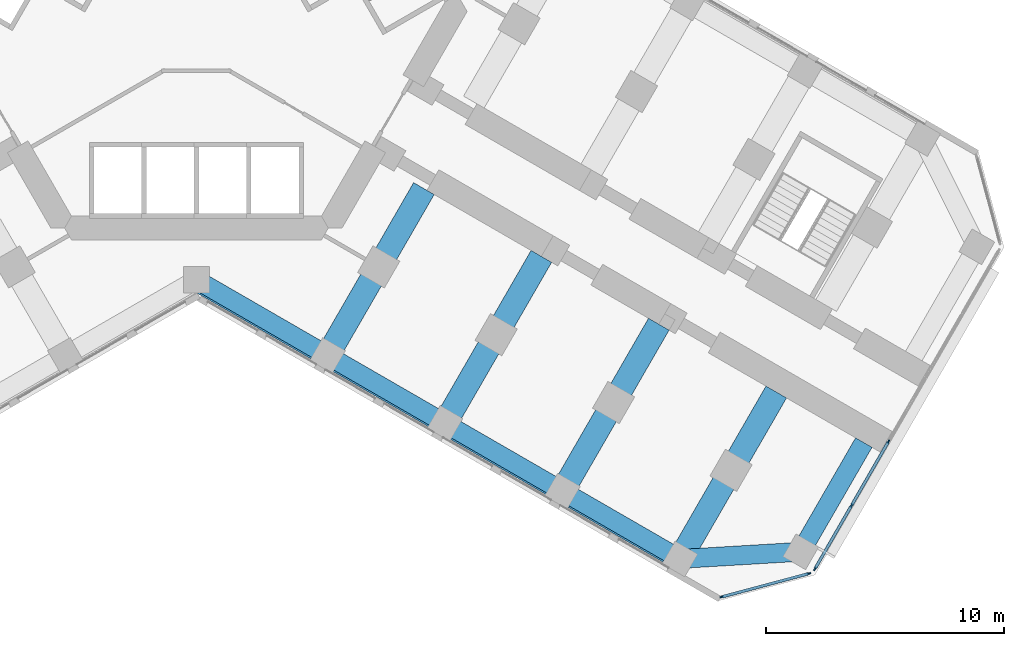
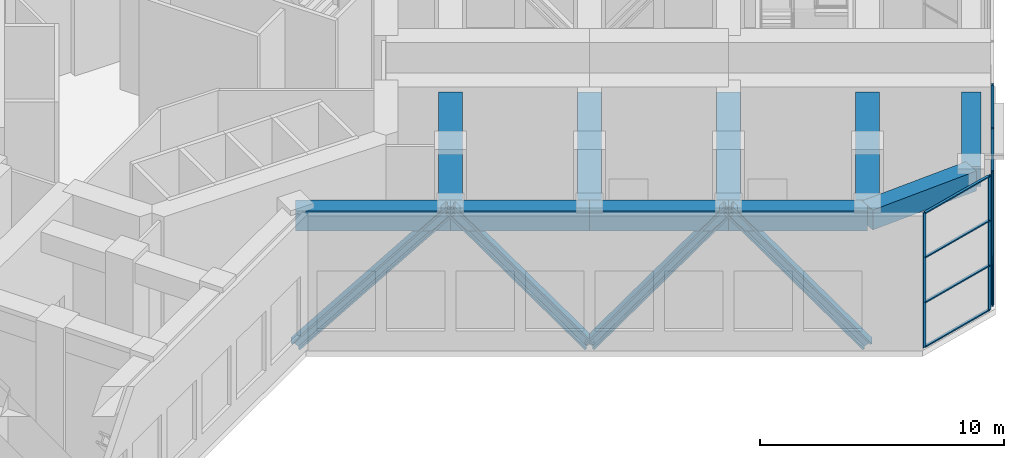
# One storey, part 5 of 17: 19 members, 10 beams, 2 elements without a shape of their own.
"""IFC4 building model written with IfcOpenShell, lengths in metres."""

import ifcopenshell
import ifcopenshell.guid

model = None  # the IFC model being written
_history = None  # IfcOwnerHistory: only IFC2X3 demands one
_inside = {}  # id of a spatial element -> (the spatial element, [elements in it])
_under = {}  # id of a project, library or spatial element -> (it, [spatial elements below it])
_declared = {}  # id of a project -> (the project, [libraries it declares])
_typed = {}  # id of a type object -> (the type object, [elements of that type])
_made_of = {}  # id of a material, layer set ... -> (it, [elements and type objects made of it])


def new_model(schema):
    """Start an empty IFC model of exactly this schema.

    Asked for "IFC4X3", IfcOpenShell would pick the latest addendum, in which some entities
    have other attributes; the version numbers below select the first issue.
    IFC2X3 requires an IfcOwnerHistory on every rooted entity: one is made here for all.
    """
    global model, _history
    if schema == "IFC4X3":
        model = ifcopenshell.file(schema_version=(4, 3, 0, 0))
    else:
        model = ifcopenshell.file(schema=schema)
    _inside.clear()
    _under.clear()
    _declared.clear()
    _typed.clear()
    _made_of.clear()
    _history = None
    if model.schema == "IFC2X3":
        org = make("IfcOrganization", Name="unknown")
        user = make(
            "IfcPersonAndOrganization",
            ThePerson=make("IfcPerson", FamilyName="unknown"),
            TheOrganization=org,
        )
        app = make(
            "IfcApplication",
            ApplicationDeveloper=org,
            Version="unknown",
            ApplicationFullName="unknown",
            ApplicationIdentifier="unknown",
        )
        _history = make(
            "IfcOwnerHistory",
            OwningUser=user,
            OwningApplication=app,
            ChangeAction="ADDED",
            CreationDate=0,
        )
    return model


def make(cls, **values):
    """One entity of the class cls with the attributes given. An attribute that is None is left unset."""
    return model.create_entity(
        cls, **{name: value for name, value in values.items() if value is not None}
    )


def rooted(cls, **values):
    """An entity with a GlobalId (a new one), such as an element, a storey or a relation."""
    return make(cls, GlobalId=ifcopenshell.guid.new(), OwnerHistory=_history, **values)


def si_unit(unit_type, name, prefix=None):
    """IfcSIUnit, for example si_unit("LENGTHUNIT", "METRE", prefix="MILLI")."""
    return make("IfcSIUnit", UnitType=unit_type, Prefix=prefix, Name=name)


def assignment(units):
    """IfcUnitAssignment: the units of a project."""
    return None if units is None else make("IfcUnitAssignment", Units=units)


def point(xyz):
    """IfcCartesianPoint."""
    return None if xyz is None else make("IfcCartesianPoint", Coordinates=xyz)


def direction(xyz):
    """IfcDirection."""
    return None if xyz is None else make("IfcDirection", DirectionRatios=xyz)


def frame(location, z_axis=None, x_axis=None):
    """IfcAxis2Placement3D, a coordinate frame: its origin and axes. An axis left out is left unset."""
    return make(
        "IfcAxis2Placement3D",
        Location=point(location),
        Axis=direction(z_axis),
        RefDirection=direction(x_axis),
    )


def frame_2d(location, x_axis=None):
    """IfcAxis2Placement2D, a coordinate frame in the plane: its origin and x axis."""
    return make(
        "IfcAxis2Placement2D", Location=point(location), RefDirection=direction(x_axis)
    )


def origin():
    """The frame at (0, 0, 0) with its axes left unset."""
    return frame((0.0, 0.0, 0.0))


def origin_2d():
    """The frame at (0, 0) in the plane with its x axis left unset."""
    return frame_2d((0.0, 0.0))


def place(relative_to, where):
    """IfcLocalPlacement: puts the frame where relative to a parent placement (None: the world)."""
    return make(
        "IfcLocalPlacement", PlacementRelTo=relative_to, RelativePlacement=where
    )


def context(
    kind, dimensions, precision=None, world=None, true_north=None, identifier=None
):
    """IfcGeometricRepresentationContext, for example the 3D "Model" context."""
    return make(
        "IfcGeometricRepresentationContext",
        ContextIdentifier=identifier,
        ContextType=kind,
        CoordinateSpaceDimension=dimensions,
        Precision=precision,
        WorldCoordinateSystem=world,
        TrueNorth=true_north,
    )


def subcontext(parent, identifier, kind, view, scale=None):
    """IfcGeometricRepresentationSubContext, for example "Body" below "Model"."""
    return make(
        "IfcGeometricRepresentationSubContext",
        ContextIdentifier=identifier,
        ContextType=kind,
        ParentContext=parent,
        TargetScale=scale,
        TargetView=view,
    )


def project(units=None, contexts=None):
    """IfcProject with its units and contexts."""
    return rooted(
        "IfcProject",
        Name="project",
        RepresentationContexts=contexts,
        UnitsInContext=assignment(units),
    )


def spatial(cls, under=None, at=None, **own):
    """A site, building, storey or space (cls), placed at a placement, below another one or the project."""
    s = rooted(cls, ObjectPlacement=at, **own)
    if under is not None:
        _under.setdefault(under.id(), (under, []))[1].append(s)
    return s


def profile(cls, at=None, kind="AREA", **sizes):
    """A parametric profile (cls). Its sizes go by their IFC names, for example OverallWidth=200.0."""
    return make(cls, ProfileType=kind, Position=at, **sizes)


def rectangle(**sizes):
    """IfcRectangleProfileDef."""
    return profile("IfcRectangleProfileDef", **sizes)


def i_section(**sizes):
    """IfcIShapeProfileDef."""
    return profile("IfcIShapeProfileDef", **sizes)


def extrude(swept, where, along, depth):
    """IfcExtrudedAreaSolid: the profile swept, set in the frame where, extruded along a direction by depth."""
    return make(
        "IfcExtrudedAreaSolid",
        SweptArea=swept,
        Position=where,
        ExtrudedDirection=direction(along),
        Depth=depth,
    )


def shape(context_of_items, identifier, shape_type, items):
    """IfcShapeRepresentation: the items that make up one representation, for example the "Body"."""
    return make(
        "IfcShapeRepresentation",
        ContextOfItems=context_of_items,
        RepresentationIdentifier=identifier,
        RepresentationType=shape_type,
        Items=items,
    )


def material(Name=None, Category=None):
    """IfcMaterial."""
    return make("IfcMaterial", Name=Name, Category=Category)


def material_profile(
    of_material, cross_section, Name=None, Category=None, Priority=None
):
    """IfcMaterialProfile: a cross section and its material."""
    return make(
        "IfcMaterialProfile",
        Name=Name,
        Material=of_material,
        Profile=cross_section,
        Priority=Priority,
        Category=Category,
    )


def profile_set(profiles, Name=None, composite=None):
    """IfcMaterialProfileSet."""
    return make(
        "IfcMaterialProfileSet",
        Name=Name,
        MaterialProfiles=profiles,
        CompositeProfile=composite,
    )


def made_of(thing, what):
    """Note that an element or type object is made of a material, layer set ...; save() writes the relation."""
    if what is not None:
        _made_of.setdefault(what.id(), (what, []))[1].append(thing)
    return thing


def type_object(cls, material=None, **own):
    """A type object (cls), such as IfcWallType, which elements share."""
    return made_of(rooted(cls, **own), material)


def element(
    cls,
    number,
    at=None,
    inside=None,
    cuts=None,
    type_object=None,
    material=None,
    context=None,
    identifier="Body",
    shape_type=None,
    held_by="IfcProductDefinitionShape",
    body=None,
    shapes=None,
    **own,
):
    """One element of the class cls, such as IfcWall. Its Tag is "e" and its number.

    at: its placement. inside: the storey or other place that contains it. cuts: it is an
    opening in that element (IfcRelVoidsElement). A single representation is given by context,
    identifier, shape_type and body (its items); several are given by shapes. held_by: the class
    of the entity that holds the representations. save() writes the other relations.
    """
    e = rooted(cls, Tag="e%d" % number, ObjectPlacement=at, **own)
    if body is not None:
        shapes = [shape(context, identifier, shape_type, body)]
    if shapes is not None:
        e.Representation = make(held_by, Representations=shapes)
    if inside is not None:
        _inside.setdefault(inside.id(), (inside, []))[1].append(e)
    if cuts is not None:
        rooted(
            "IfcRelVoidsElement", RelatingBuildingElement=cuts, RelatedOpeningElement=e
        )
    if type_object is not None:
        _typed.setdefault(type_object.id(), (type_object, []))[1].append(e)
    return made_of(e, material)


def aggregate(whole, parts):
    """IfcRelAggregates: a whole, such as a stair, and the parts it consists of."""
    return rooted("IfcRelAggregates", RelatingObject=whole, RelatedObjects=parts)


def save(model, path):
    """Write the relations noted so far, then the file.

    IfcRelAggregates (storeys below a building ...), IfcRelContainedInSpatialStructure (elements
    in a storey), IfcRelDefinesByType, IfcRelAssociatesMaterial and IfcRelDeclares: one each for
    every whole, place, type object, material and project.
    """
    for whole, parts in _under.values():
        aggregate(whole, parts)
    for where, things in _inside.values():
        rooted(
            "IfcRelContainedInSpatialStructure",
            RelatedElements=things,
            RelatingStructure=where,
        )
    for kind, things in _typed.values():
        rooted("IfcRelDefinesByType", RelatedObjects=things, RelatingType=kind)
    for what, things in _made_of.values():
        rooted("IfcRelAssociatesMaterial", RelatedObjects=things, RelatingMaterial=what)
    for by, libraries in _declared.values():
        rooted("IfcRelDeclares", RelatingContext=by, RelatedDefinitions=libraries)
    model.write(path)


model = new_model("IFC4")

# Units and contexts
model_context = context("Model", 3, precision=1e-05, world=origin(), true_north=direction((0.0, 1.0)))
body_context = subcontext(model_context, "Body", "Model", "MODEL_VIEW")
ifc_project = project(units=[si_unit("LENGTHUNIT", "METRE"), si_unit("AREAUNIT", "SQUARE_METRE"), si_unit("VOLUMEUNIT", "CUBIC_METRE"), si_unit("PLANEANGLEUNIT", "RADIAN"), si_unit("MASSUNIT", "GRAM", prefix="KILO")], contexts=[model_context])

# Site, building, storey
site_placement = place(None, origin())
site = spatial("IfcSite", under=ifc_project, at=site_placement, CompositionType="ELEMENT")
building_placement = place(site_placement, origin())
building = spatial("IfcBuilding", under=site, at=building_placement, Name="Kosmar Iwan School Tower", CompositionType="ELEMENT")
storey_placement = place(building_placement, frame((0.0, 0.0, 32.39990234375)))
storey = spatial("IfcBuildingStorey", under=building, at=storey_placement, Name="L07", CompositionType="ELEMENT", Elevation=32.39990234375)

# Members
ifc_material_1 = material(Name="Steel S355", Category="steel")
ifc_material_profile_1 = material_profile(ifc_material_1, i_section(OverallWidth=0.431884765625, OverallDepth=0.498046875, WebThickness=0.0556640625, FlangeThickness=0.0888671875, FilletRadius=0.014892578125, at=origin_2d()), Name="HD 400x744")
ifc_profile_set_1 = profile_set([ifc_material_profile_1], Name="Steel S355")
member_type_1 = type_object("IfcMemberType", Name="Belt truss diagonal HD 400x744", PredefinedType="BRACE", material=ifc_profile_set_1)
member_1_placement = place(storey_placement, frame((-0.126953125, -11.997802734375, 0.0), z_axis=(0.590909444273, -0.341179234178, 0.731042241485), x_axis=(0.500019243575, 0.866014293216, 0.0)))
element("IfcMember", 1, at=member_1_placement, inside=storey, type_object=member_type_1, Name="Belt truss diagonal CR1", PredefinedType="BRACE", context=body_context, shape_type="SweptSolid", body=[
    extrude(i_section(OverallWidth=0.431884765625, OverallDepth=0.498046875, WebThickness=0.0556640625, FlangeThickness=0.0888671875, FilletRadius=0.014892578125, at=origin_2d()), origin(), (0.0, 0.0, 1.0), 9.322509765625),
])
for number, where, z_axis, x_axis, name in (
    (2, (5.3818359375, -15.178466796875, 6.815185546875), (0.555602470658, -0.320765005193, -0.767082594016), (0.49998570155, 0.866033658841, 0.0), "Belt truss diagonal CR2"),
    (3, (10.318115234375, -18.0283203125, 0.0), (0.555597573225, -0.32078965675, 0.767075832463), (0.50001782563, 0.866015111908, 0.0), "Belt truss diagonal CR3"),
):
    element("IfcMember", number, at=place(storey_placement, frame(where, z_axis=z_axis, x_axis=x_axis)), inside=storey, type_object=member_type_1, Name=name, PredefinedType="BRACE", context=body_context, shape_type="SweptSolid", body=[
        extrude(i_section(OverallWidth=0.431884765625, OverallDepth=0.498046875, WebThickness=0.0556640625, FlangeThickness=0.0888671875, FilletRadius=0.014892578125, at=origin_2d()), origin(), (0.0, 0.0, 1.0), 8.884521484375),
    ])
member_2_placement = place(storey_placement, frame((15.25439453125, -20.87841796875, 6.815185546875), z_axis=(0.555616569323, -0.320784759163, -0.767064121298), x_axis=(0.499999279071, 0.866025820012, 0.0)))
element("IfcMember", 4, at=member_2_placement, inside=storey, type_object=member_type_1, Name="Belt truss diagonal CR4", PredefinedType="BRACE", context=body_context, shape_type="SweptSolid", body=[
    extrude(i_section(OverallWidth=0.431884765625, OverallDepth=0.498046875, WebThickness=0.0556640625, FlangeThickness=0.0888671875, FilletRadius=0.014892578125, at=origin_2d()), origin(), (0.0, 0.0, 1.0), 8.884765625),
])

# Beams
ifc_material_2 = material(Name="Concrete C50/60", Category="concrete")
ifc_material_profile_2 = material_profile(ifc_material_2, rectangle(XDim=0.800048828125, YDim=1.0, at=origin_2d()), Name="RC 800x1000 + HD 400x634")
ifc_profile_set_2 = profile_set([ifc_material_profile_2], Name="Concrete C50/60")
beam_type_1 = type_object("IfcBeamType", Name="Composite edge beam 800x1000 HD 400x634", PredefinedType="BEAM", material=ifc_profile_set_2)
beam_1_placement = place(storey_placement, frame((0.0, -11.77783203125, 6.25), z_axis=(0.866014293216, -0.500019243575, 0.0), x_axis=(0.500019243575, 0.866014293216, 0.0)))
element("IfcBeam", 5, at=beam_1_placement, inside=storey, type_object=beam_type_1, Name="Edge beam CR1", PredefinedType="BEAM", context=body_context, shape_type="SweptSolid", body=[
    extrude(rectangle(XDim=0.800048828125, YDim=1.0, at=origin_2d()), origin(), (0.0, 0.0, 1.0), 6.361083984375),
])
beam_2_placement = place(storey_placement, frame((5.5087890625, -14.95849609375, 6.25), z_axis=(0.866033658841, -0.49998570155, 0.0), x_axis=(0.49998570155, 0.866033658841, 0.0)))
element("IfcBeam", 6, at=beam_2_placement, inside=storey, type_object=beam_type_1, Name="Edge beam CR2", PredefinedType="BEAM", context=body_context, shape_type="SweptSolid", body=[
    extrude(rectangle(XDim=0.800048828125, YDim=1.0, at=origin_2d()), origin(), (0.0, 0.0, 1.0), 5.699951171875),
])
beam_3_placement = place(storey_placement, frame((10.445068359375, -17.808349609375, 6.25), z_axis=(0.866025820012, -0.499999279071, 0.0), x_axis=(0.499999279071, 0.866025820012, 0.0)))
element("IfcBeam", 7, at=beam_3_placement, inside=storey, type_object=beam_type_1, Name="Edge beam CR3", PredefinedType="BEAM", context=body_context, shape_type="SweptSolid", body=[
    extrude(rectangle(XDim=0.800048828125, YDim=1.0, at=origin_2d()), origin(), (0.0, 0.0, 1.0), 5.7001953125),
])
beam_4_placement = place(storey_placement, frame((15.381591796875, -20.658447265625, 6.25), z_axis=(0.866015111908, -0.50001782563, 0.0), x_axis=(0.50001782563, 0.866015111908, 0.0)))
element("IfcBeam", 8, at=beam_4_placement, inside=storey, type_object=beam_type_1, Name="Edge beam CR4", PredefinedType="BEAM", context=body_context, shape_type="SweptSolid", body=[
    extrude(rectangle(XDim=0.800048828125, YDim=1.0, at=origin_2d()), origin(), (0.0, 0.0, 1.0), 5.699951171875),
])
ifc_material_3 = material(Name="Concrete C50/60", Category="concrete")
ifc_material_profile_3 = material_profile(ifc_material_3, rectangle(XDim=1.0, YDim=1.0, at=origin_2d()), Name="RC 1000x1000 + HD 400x347")
ifc_profile_set_3 = profile_set([ifc_material_profile_3], Name="Concrete C50/60")
beam_type_2 = type_object("IfcBeamType", Name="Composite transverse beam 1000x1000 HD 400x347", PredefinedType="BEAM", material=ifc_profile_set_3)
beam_5_placement = place(storey_placement, frame((5.5087890625, -14.95849609375, 6.25), z_axis=(0.499999880539, 0.866025472755, 0.0), x_axis=(-0.866025472755, 0.499999880539, 0.0)))
element("IfcBeam", 9, at=beam_5_placement, inside=storey, type_object=beam_type_2, Name="Transverse beam CR1", PredefinedType="BEAM", context=body_context, shape_type="SweptSolid", body=[
    extrude(rectangle(XDim=1.0, YDim=1.0, at=origin_2d()), origin(), (0.0, 0.0, 1.0), 8.10009765625),
])
beam_6_placement = place(storey_placement, frame((10.445068359375, -17.808349609375, 6.25), z_axis=(0.500012932018, 0.866017937352, 0.0), x_axis=(-0.866017937352, 0.500012932018, 0.0)))
element("IfcBeam", 10, at=beam_6_placement, inside=storey, type_object=beam_type_2, Name="Transverse beam CR2", PredefinedType="BEAM", context=body_context, shape_type="SweptSolid", body=[
    extrude(rectangle(XDim=1.0, YDim=1.0, at=origin_2d()), origin(), (0.0, 0.0, 1.0), 8.099853515625),
])
for number, where, z_axis, x_axis, name in (
    (11, (15.381591796875, -20.658447265625, 6.25), (0.499977274689, 0.866038523851, 0.0), (-0.866038523851, 0.499977274689, 0.0), "Transverse beam CR3"),
    (12, (20.31787109375, -23.508544921875, 6.25), (0.499999880539, 0.866025472755, 0.0), (-0.866025472755, 0.499999880539, 0.0), "Transverse beam CR4"),
):
    element("IfcBeam", number, at=place(storey_placement, frame(where, z_axis=z_axis, x_axis=x_axis)), inside=storey, type_object=beam_type_2, Name=name, PredefinedType="BEAM", context=body_context, shape_type="SweptSolid", body=[
        extrude(rectangle(XDim=1.0, YDim=1.0, at=origin_2d()), origin(), (0.0, 0.0, 1.0), 8.10009765625),
    ])

# Curtain wall, members
ifc_material_4 = material(Name="Dark glass in black aluminium frame", Category="aluminium")
curtain_wall_type_1 = type_object("IfcCurtainWallType", Name="Chamfer curtain wall dark glass", PredefinedType="USERDEFINED", material=ifc_material_4)
curtain_wall_1_placement = place(storey_placement, origin())
curtain_wall_1 = element("IfcCurtainWall", 13, at=curtain_wall_1_placement, inside=storey, type_object=curtain_wall_type_1, Name="Curtain wall L07-F02", ObjectType="FACETED CURTAIN WALL", PredefinedType="USERDEFINED")
ifc_material_5 = material(Name="Black anodised aluminium", Category="aluminium")
ifc_material_profile_4 = material_profile(ifc_material_5, rectangle(XDim=0.06005859375, YDim=0.159912109375, at=origin_2d()), Name="MULLION 60x160")
ifc_profile_set_4 = profile_set([ifc_material_profile_4], Name="Black anodised aluminium")
member_type_2 = type_object("IfcMemberType", Name="Mullion 60x160", PredefinedType="MULLION", material=ifc_profile_set_4)
member_3_placement = place(storey_placement, frame((22.0830078125, -25.102294921875, 0.0), z_axis=(0.0, 0.0, 1.0), x_axis=(-0.258818861462, 0.965925875495, 0.0)))
member_3 = element("IfcMember", 14, at=member_3_placement, type_object=member_type_2, Name="CW2 mullion 1", PredefinedType="MULLION", context=body_context, shape_type="SweptSolid", body=[
    extrude(rectangle(XDim=0.06005859375, YDim=0.159912109375, at=origin_2d()), origin(), (0.0, 0.0, 1.0), 6.75),
])
member_4_placement = place(storey_placement, frame((25.733154296875, -24.124267578125, 0.0), z_axis=(0.0, 0.0, 1.0), x_axis=(-0.258818861462, 0.965925875495, 0.0)))
member_4 = element("IfcMember", 15, at=member_4_placement, type_object=member_type_2, Name="CW2 mullion 2", PredefinedType="MULLION", context=body_context, shape_type="SweptSolid", body=[
    extrude(rectangle(XDim=0.06005859375, YDim=0.159912109375, at=origin_2d()), origin(), (0.0, 0.0, 1.0), 6.75),
])

ifc_material_6 = material(Name="Black aluminium louvres and glass", Category="aluminium")
curtain_wall_type_2 = type_object("IfcCurtainWallType", Name="Plant floor louvred curtain wall", PredefinedType="USERDEFINED", material=ifc_material_6)
curtain_wall_2_placement = place(storey_placement, origin())
curtain_wall_2 = element("IfcCurtainWall", 16, at=curtain_wall_2_placement, inside=storey, type_object=curtain_wall_type_2, Name="Curtain wall L07-F03", ObjectType="LOUVRED CURTAIN WALL", PredefinedType="USERDEFINED")
member_5_placement = place(storey_placement, frame((25.9970703125, -23.921630859375, 0.0), z_axis=(0.0, 0.0, 1.0), x_axis=(-0.866025405329, 0.499999997325, 0.0)))
member_5 = element("IfcMember", 17, at=member_5_placement, type_object=member_type_2, Name="CW4 mullion 1", PredefinedType="MULLION", context=body_context, shape_type="SweptSolid", body=[
    extrude(rectangle(XDim=0.06005859375, YDim=0.159912109375, at=origin_2d()), origin(), (0.0, 0.0, 1.0), 6.75),
])
member_6_placement = place(storey_placement, frame((27.53173828125, -21.263671875, 0.0), z_axis=(0.0, 0.0, 1.0), x_axis=(-0.866025405329, 0.499999997325, 0.0)))
member_6 = element("IfcMember", 18, at=member_6_placement, type_object=member_type_2, Name="CW4 mullion 2", PredefinedType="MULLION", context=body_context, shape_type="SweptSolid", body=[
    extrude(rectangle(XDim=0.06005859375, YDim=0.159912109375, at=origin_2d()), origin(), (0.0, 0.0, 1.0), 6.75),
])
member_7_placement = place(storey_placement, frame((29.081298828125, -18.57958984375, 0.0), z_axis=(0.0, 0.0, 1.0), x_axis=(-0.866025405329, 0.499999997325, 0.0)))
member_7 = element("IfcMember", 19, at=member_7_placement, type_object=member_type_2, Name="CW4 mullion 3", PredefinedType="MULLION", context=body_context, shape_type="SweptSolid", body=[
    extrude(rectangle(XDim=0.06005859375, YDim=0.159912109375, at=origin_2d()), origin(), (0.0, 0.0, 1.0), 6.75),
])

# Beams
ifc_material_7 = material(Name="Concrete C50/60", Category="concrete")
ifc_material_profile_5 = material_profile(ifc_material_7, rectangle(XDim=0.800048828125, YDim=1.0, at=origin_2d()), Name="RC 800x1000")
ifc_profile_set_5 = profile_set([ifc_material_profile_5], Name="Concrete C50/60")
beam_type_3 = type_object("IfcBeamType", Name="RC tip beam 800x1000", PredefinedType="BEAM", material=ifc_profile_set_5)
beam_7_placement = place(storey_placement, frame((20.31787109375, -23.508544921875, 6.25), z_axis=(0.998260616478, 0.058955420358, 0.0), x_axis=(-0.058955420358, 0.998260616478, 0.0)))
element("IfcBeam", 20, at=beam_7_placement, inside=storey, type_object=beam_type_3, Name="Tip beam CR", PredefinedType="BEAM", context=body_context, shape_type="SweptSolid", body=[
    extrude(rectangle(XDim=0.800048828125, YDim=1.0, at=origin_2d()), origin(), (0.0, 0.0, 1.0), 5.08935546875),
])
beam_8_placement = place(storey_placement, frame((25.3984375, -23.20849609375, 6.25), z_axis=(0.499993606316, 0.866029095148, 0.0), x_axis=(-0.866029095148, 0.499993606316, 0.0)))
element("IfcBeam", 21, at=beam_8_placement, inside=storey, type_object=beam_type_3, Name="Tip beam CR to corridor wall", PredefinedType="BEAM", context=body_context, shape_type="SweptSolid", body=[
    extrude(rectangle(XDim=0.800048828125, YDim=1.0, at=origin_2d()), origin(), (0.0, 0.0, 1.0), 5.2998046875),
])

# Member
ifc_material_8 = material(Name="Black anodised aluminium", Category="aluminium")
ifc_material_profile_6 = material_profile(ifc_material_8, rectangle(XDim=0.1201171875, YDim=0.06005859375, at=origin_2d()), Name="TRANSOM 60x120")
ifc_profile_set_6 = profile_set([ifc_material_profile_6], Name="Black anodised aluminium")
member_type_3 = type_object("IfcMemberType", Name="Transom 60x120", PredefinedType="USERDEFINED", material=ifc_profile_set_6)
member_8_placement = place(storey_placement, frame((22.11181640625, -25.094482421875, 0.030029296875), z_axis=(0.965923731726, 0.258826861991, 0.0), x_axis=(-0.258826861991, 0.965923731726, 0.0)))
member_8 = element("IfcMember", 22, at=member_8_placement, type_object=member_type_3, Name="CW2 transom 1.1", ObjectType="TRANSOM", PredefinedType="USERDEFINED", context=body_context, shape_type="SweptSolid", body=[
    extrude(rectangle(XDim=0.1201171875, YDim=0.06005859375, at=origin_2d()), origin(), (0.0, 0.0, 1.0), 3.71923828125),
])

member_9_placement = place(storey_placement, frame((22.11181640625, -25.094482421875, 2.25), z_axis=(0.965923731726, 0.258826861991, 0.0), x_axis=(-0.258826861991, 0.965923731726, 0.0)))
member_9 = element("IfcMember", 23, at=member_9_placement, type_object=member_type_3, Name="CW2 transom 1.2", ObjectType="TRANSOM", PredefinedType="USERDEFINED", context=body_context, shape_type="SweptSolid", body=[
    extrude(rectangle(XDim=0.1201171875, YDim=0.06005859375, at=origin_2d()), origin(), (0.0, 0.0, 1.0), 3.71923828125),
])

member_10_placement = place(storey_placement, frame((22.11181640625, -25.094482421875, 4.5), z_axis=(0.965923731726, 0.258826861991, 0.0), x_axis=(-0.258826861991, 0.965923731726, 0.0)))
member_10 = element("IfcMember", 24, at=member_10_placement, type_object=member_type_3, Name="CW2 transom 1.3", ObjectType="TRANSOM", PredefinedType="USERDEFINED", context=body_context, shape_type="SweptSolid", body=[
    extrude(rectangle(XDim=0.1201171875, YDim=0.06005859375, at=origin_2d()), origin(), (0.0, 0.0, 1.0), 3.71923828125),
])

member_11_placement = place(storey_placement, frame((22.11181640625, -25.094482421875, 6.72021484375), z_axis=(0.965923731726, 0.258826861991, 0.0), x_axis=(-0.258826861991, 0.965923731726, 0.0)))
member_11 = element("IfcMember", 25, at=member_11_placement, type_object=member_type_3, Name="CW2 transom 1.4", ObjectType="TRANSOM", PredefinedType="USERDEFINED", context=body_context, shape_type="SweptSolid", body=[
    extrude(rectangle(XDim=0.1201171875, YDim=0.06005859375, at=origin_2d()), origin(), (0.0, 0.0, 1.0), 3.71923828125),
])

aggregate(curtain_wall_1, [member_3, member_4, member_8, member_9, member_10, member_11])

member_12_placement = place(storey_placement, frame((26.01220703125, -23.895751953125, 0.030029296875), z_axis=(0.499986971506, 0.866032925658, 0.0), x_axis=(-0.866032925658, 0.499986971506, 0.0)))
member_12 = element("IfcMember", 26, at=member_12_placement, type_object=member_type_3, Name="CW4 transom 1.1", ObjectType="TRANSOM", PredefinedType="USERDEFINED", context=body_context, shape_type="SweptSolid", body=[
    extrude(rectangle(XDim=0.1201171875, YDim=0.06005859375, at=origin_2d()), origin(), (0.0, 0.0, 1.0), 3.00927734375),
])

member_13_placement = place(storey_placement, frame((26.01220703125, -23.895751953125, 3.375), z_axis=(0.499986971506, 0.866032925658, 0.0), x_axis=(-0.866032925658, 0.499986971506, 0.0)))
member_13 = element("IfcMember", 27, at=member_13_placement, type_object=member_type_3, Name="CW4 transom 1.2", ObjectType="TRANSOM", PredefinedType="USERDEFINED", context=body_context, shape_type="SweptSolid", body=[
    extrude(rectangle(XDim=0.1201171875, YDim=0.06005859375, at=origin_2d()), origin(), (0.0, 0.0, 1.0), 3.00927734375),
])

member_14_placement = place(storey_placement, frame((26.01220703125, -23.895751953125, 6.72021484375), z_axis=(0.499986971506, 0.866032925658, 0.0), x_axis=(-0.866032925658, 0.499986971506, 0.0)))
member_14 = element("IfcMember", 28, at=member_14_placement, type_object=member_type_3, Name="CW4 transom 1.3", ObjectType="TRANSOM", PredefinedType="USERDEFINED", context=body_context, shape_type="SweptSolid", body=[
    extrude(rectangle(XDim=0.1201171875, YDim=0.06005859375, at=origin_2d()), origin(), (0.0, 0.0, 1.0), 3.00927734375),
])

member_15_placement = place(storey_placement, frame((27.546875, -21.237548828125, 0.030029296875), z_axis=(0.499975102327, 0.866039777986, 0.0), x_axis=(-0.866039777986, 0.499975102327, 0.0)))
member_15 = element("IfcMember", 29, at=member_15_placement, type_object=member_type_3, Name="CW4 transom 2.1", ObjectType="TRANSOM", PredefinedType="USERDEFINED", context=body_context, shape_type="SweptSolid", body=[
    extrude(rectangle(XDim=0.1201171875, YDim=0.06005859375, at=origin_2d()), origin(), (0.0, 0.0, 1.0), 3.039306640625),
])

member_16_placement = place(storey_placement, frame((27.546875, -21.237548828125, 3.375), z_axis=(0.499975102327, 0.866039777986, 0.0), x_axis=(-0.866039777986, 0.499975102327, 0.0)))
member_16 = element("IfcMember", 30, at=member_16_placement, type_object=member_type_3, Name="CW4 transom 2.2", ObjectType="TRANSOM", PredefinedType="USERDEFINED", context=body_context, shape_type="SweptSolid", body=[
    extrude(rectangle(XDim=0.1201171875, YDim=0.06005859375, at=origin_2d()), origin(), (0.0, 0.0, 1.0), 3.039306640625),
])

member_17_placement = place(storey_placement, frame((27.546875, -21.237548828125, 6.72021484375), z_axis=(0.499975102327, 0.866039777986, 0.0), x_axis=(-0.866039777986, 0.499975102327, 0.0)))
member_17 = element("IfcMember", 31, at=member_17_placement, type_object=member_type_3, Name="CW4 transom 2.3", ObjectType="TRANSOM", PredefinedType="USERDEFINED", context=body_context, shape_type="SweptSolid", body=[
    extrude(rectangle(XDim=0.1201171875, YDim=0.06005859375, at=origin_2d()), origin(), (0.0, 0.0, 1.0), 3.039306640625),
])

aggregate(curtain_wall_2, [member_5, member_6, member_7, member_12, member_13, member_14, member_15, member_16, member_17])

save(model, "model.ifc")
